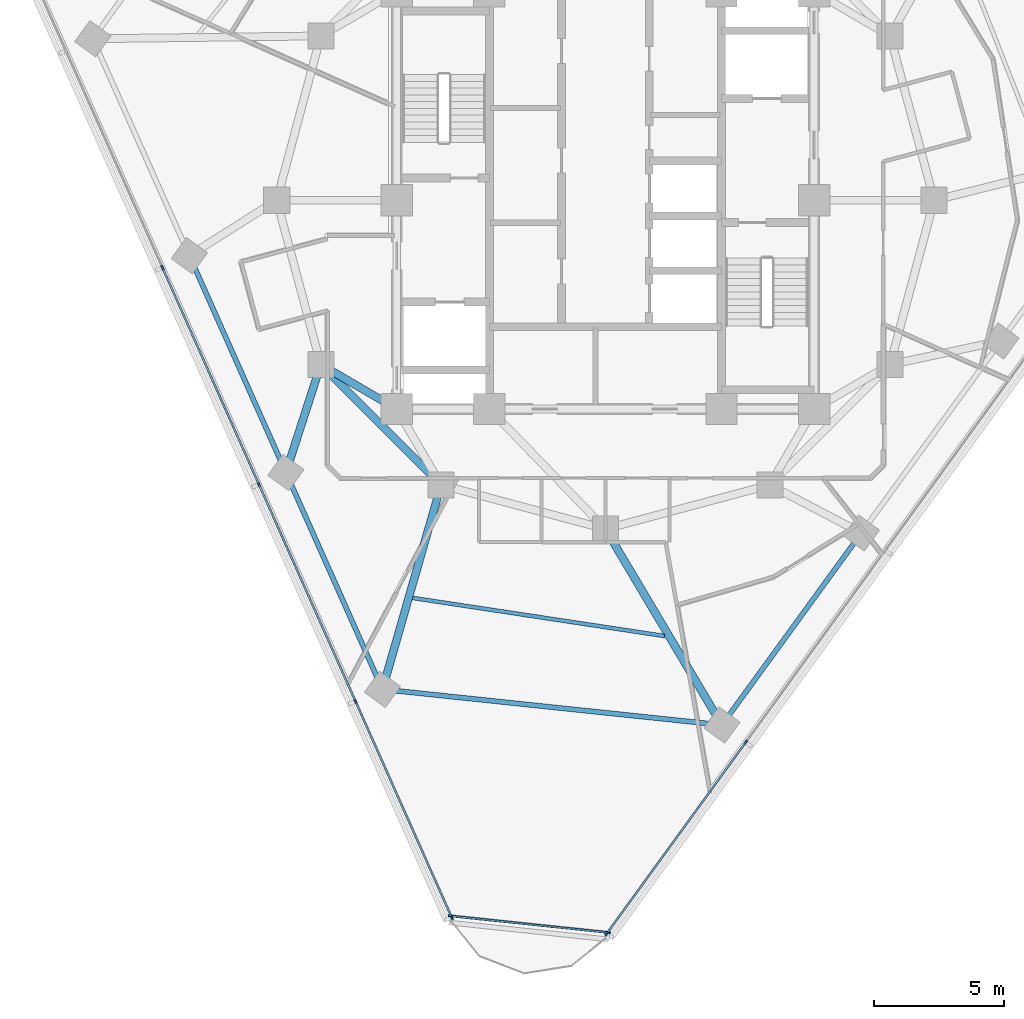
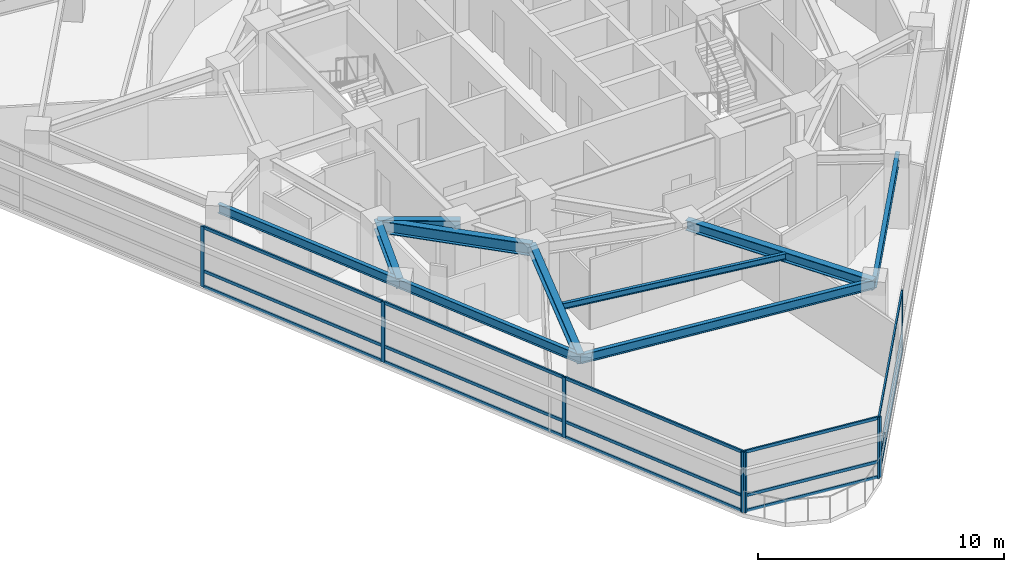
# One storey, part 2 of 15: 23 members, 10 beams, 3 elements without a shape of their own.
"""IFC4 building model written with IfcOpenShell, lengths in metres."""

from ifc_helpers import new_model, si_unit, direction, frame, origin, origin_2d, place, context, subcontext, project, spatial, rectangle, i_section, extrude, material, layer, layer_set, material_profile, profile_set, type_object, element, aggregate, save


model = new_model("IFC4")

# Units and contexts
model_context = context("Model", 3, precision=1e-05, world=origin(), true_north=direction((0.0, 1.0)))
body_context = subcontext(model_context, "Body", "Model", "MODEL_VIEW")
ifc_project = project(units=[si_unit("LENGTHUNIT", "METRE"), si_unit("AREAUNIT", "SQUARE_METRE"), si_unit("VOLUMEUNIT", "CUBIC_METRE"), si_unit("PLANEANGLEUNIT", "RADIAN"), si_unit("MASSUNIT", "GRAM", prefix="KILO")], contexts=[model_context])

# Site, building, storey
site_placement = place(None, origin())
site = spatial("IfcSite", under=ifc_project, at=site_placement, CompositionType="ELEMENT")
building_placement = place(site_placement, origin())
building = spatial("IfcBuilding", under=site, at=building_placement, Name="Terralouvre Media Tower", CompositionType="ELEMENT")
storey_placement = place(building_placement, frame((0.0, 0.0, 230.0)))
storey = spatial("IfcBuildingStorey", under=building, at=storey_placement, Name="L59", CompositionType="ELEMENT", Elevation=230.0)

# Beam
ifc_material_1 = material(Name="Structural steel S355J2", Category="steel")
ifc_material_profile_1 = material_profile(ifc_material_1, i_section(OverallWidth=0.14990234375, OverallDepth=0.300048828125, WebThickness=0.007080078125, FlangeThickness=0.0107421875, at=origin_2d()), Name="IPE 300")
ifc_profile_set_1 = profile_set([ifc_material_profile_1], Name="Structural steel S355J2")
beam_type_1 = type_object("IfcBeamType", Name="Composite Floor Joist J-IPE300 (IPE 300)", PredefinedType="JOIST", material=ifc_profile_set_1)
beam_1_placement = place(storey_placement, frame((-7.38818359375, -15.244140625, 3.35009765625), z_axis=(0.988745338641, -0.149608339726, 0.0), x_axis=(0.149608339726, 0.988745338641, 0.0)))
element("IfcBeam", 1, at=beam_1_placement, inside=storey, type_object=beam_type_1, Name="L59 Framing Beam JT-L59-01", PredefinedType="JOIST", context=body_context, shape_type="SweptSolid", body=[
    extrude(i_section(OverallWidth=0.14990234375, OverallDepth=0.300048828125, WebThickness=0.007080078125, FlangeThickness=0.0107421875, at=origin_2d()), origin(), (0.0, 0.0, 1.0), 9.763427734375),
])

# Curtain wall, members
ifc_material_2 = material(Name="Low-iron laminated double glazing with solar-control coating", Category="glass")
ifc_layer_1 = layer(ifc_material_2, 0.1650390625, Name="Upper Executive Tower Curtain Wall CW-05")
ifc_layer_set_1 = layer_set([ifc_layer_1], Name="Low-iron laminated double glazing with solar-control coating")
curtain_wall_type_1 = type_object("IfcCurtainWallType", Name="Upper Executive Tower Curtain Wall CW-05", PredefinedType="NOTDEFINED", material=ifc_layer_set_1)
curtain_wall_1_placement = place(storey_placement, origin())
curtain_wall_1 = element("IfcCurtainWall", 2, at=curtain_wall_1_placement, inside=storey, type_object=curtain_wall_type_1, Name="L59 Facade Curtain Wall F0", PredefinedType="NOTDEFINED")
ifc_material_3 = material(Name="Anodised extruded aluminium 6063-T6", Category="aluminium")
ifc_material_profile_2 = material_profile(ifc_material_3, rectangle(XDim=0.074951171875, YDim=0.14990234375, at=origin_2d()), Name="ALU 75x150")
ifc_profile_set_2 = profile_set([ifc_material_profile_2], Name="Anodised extruded aluminium 6063-T6")
member_type_1 = type_object("IfcMemberType", Name="Curtain-Wall Horizontal Transom TR-150", PredefinedType="USERDEFINED", material=ifc_profile_set_2)
member_1_placement = place(storey_placement, frame((0.072998046875, -28.0810546875, 0.03759765625), z_axis=(0.587774298355, 0.809024952763, 0.0), x_axis=(-0.809024952763, 0.587774298355, 0.0)))
member_1 = element("IfcMember", 3, at=member_1_placement, type_object=member_type_1, Name="CW-05 transom 1.1", ObjectType="TRANSOM", PredefinedType="USERDEFINED", context=body_context, shape_type="SweptSolid", body=[
    extrude(rectangle(XDim=0.074951171875, YDim=0.14990234375, at=origin_2d()), origin(), (0.0, 0.0, 1.0), 8.987548828125),
])
member_2_placement = place(storey_placement, frame((0.072998046875, -28.0810546875, 0.800048828125), z_axis=(0.587774298355, 0.809024952763, 0.0), x_axis=(-0.809024952763, 0.587774298355, 0.0)))
member_2 = element("IfcMember", 4, at=member_2_placement, type_object=member_type_1, Name="CW-05 transom 1.2", ObjectType="TRANSOM", PredefinedType="USERDEFINED", context=body_context, shape_type="SweptSolid", body=[
    extrude(rectangle(XDim=0.074951171875, YDim=0.14990234375, at=origin_2d()), origin(), (0.0, 0.0, 1.0), 8.987548828125),
])
member_3_placement = place(storey_placement, frame((0.072998046875, -28.0810546875, 2.96240234375), z_axis=(0.587774298355, 0.809024952763, 0.0), x_axis=(-0.809024952763, 0.587774298355, 0.0)))
member_3 = element("IfcMember", 5, at=member_3_placement, type_object=member_type_1, Name="CW-05 transom 1.3", ObjectType="TRANSOM", PredefinedType="USERDEFINED", context=body_context, shape_type="SweptSolid", body=[
    extrude(rectangle(XDim=0.074951171875, YDim=0.14990234375, at=origin_2d()), origin(), (0.0, 0.0, 1.0), 8.987548828125),
])

curtain_wall_2_placement = place(storey_placement, origin())
curtain_wall_2 = element("IfcCurtainWall", 6, at=curtain_wall_2_placement, inside=storey, type_object=curtain_wall_type_1, Name="L59 Facade Curtain Wall F2", PredefinedType="NOTDEFINED")
member_4_placement = place(storey_placement, frame((-16.968017578125, -2.614990234375, 0.03759765625), z_axis=(0.406740753437, -0.913543627581, 0.0), x_axis=(0.913543627581, 0.406740753437, 0.0)))
member_4 = element("IfcMember", 7, at=member_4_placement, type_object=member_type_1, Name="CW-05 transom 3.1", ObjectType="TRANSOM", PredefinedType="USERDEFINED", context=body_context, shape_type="SweptSolid", body=[
    extrude(rectangle(XDim=0.074951171875, YDim=0.14990234375, at=origin_2d()), origin(), (0.0, 0.0, 1.0), 9.025146484375),
])
member_5_placement = place(storey_placement, frame((-16.968017578125, -2.614990234375, 0.800048828125), z_axis=(0.406740753437, -0.913543627581, 0.0), x_axis=(0.913543627581, 0.406740753437, 0.0)))
member_5 = element("IfcMember", 8, at=member_5_placement, type_object=member_type_1, Name="CW-05 transom 3.2", ObjectType="TRANSOM", PredefinedType="USERDEFINED", context=body_context, shape_type="SweptSolid", body=[
    extrude(rectangle(XDim=0.074951171875, YDim=0.14990234375, at=origin_2d()), origin(), (0.0, 0.0, 1.0), 9.025146484375),
])
member_6_placement = place(storey_placement, frame((-16.968017578125, -2.614990234375, 2.96240234375), z_axis=(0.406740753437, -0.913543627581, 0.0), x_axis=(0.913543627581, 0.406740753437, 0.0)))
member_6 = element("IfcMember", 9, at=member_6_placement, type_object=member_type_1, Name="CW-05 transom 3.3", ObjectType="TRANSOM", PredefinedType="USERDEFINED", context=body_context, shape_type="SweptSolid", body=[
    extrude(rectangle(XDim=0.074951171875, YDim=0.14990234375, at=origin_2d()), origin(), (0.0, 0.0, 1.0), 9.025146484375),
])
member_7_placement = place(storey_placement, frame((-13.2666015625, -10.928466796875, 0.03759765625), z_axis=(0.406728228643, -0.913549203943, 0.0), x_axis=(0.913549203943, 0.406728228643, 0.0)))
member_7 = element("IfcMember", 10, at=member_7_placement, type_object=member_type_1, Name="CW-05 transom 4.1", ObjectType="TRANSOM", PredefinedType="USERDEFINED", context=body_context, shape_type="SweptSolid", body=[
    extrude(rectangle(XDim=0.074951171875, YDim=0.14990234375, at=origin_2d()), origin(), (0.0, 0.0, 1.0), 9.02490234375),
])
member_8_placement = place(storey_placement, frame((-13.2666015625, -10.928466796875, 0.800048828125), z_axis=(0.406728228643, -0.913549203943, 0.0), x_axis=(0.913549203943, 0.406728228643, 0.0)))
member_8 = element("IfcMember", 11, at=member_8_placement, type_object=member_type_1, Name="CW-05 transom 4.2", ObjectType="TRANSOM", PredefinedType="USERDEFINED", context=body_context, shape_type="SweptSolid", body=[
    extrude(rectangle(XDim=0.074951171875, YDim=0.14990234375, at=origin_2d()), origin(), (0.0, 0.0, 1.0), 9.02490234375),
])
member_9_placement = place(storey_placement, frame((-13.2666015625, -10.928466796875, 2.96240234375), z_axis=(0.406728228643, -0.913549203943, 0.0), x_axis=(0.913549203943, 0.406728228643, 0.0)))
member_9 = element("IfcMember", 12, at=member_9_placement, type_object=member_type_1, Name="CW-05 transom 4.3", ObjectType="TRANSOM", PredefinedType="USERDEFINED", context=body_context, shape_type="SweptSolid", body=[
    extrude(rectangle(XDim=0.074951171875, YDim=0.14990234375, at=origin_2d()), origin(), (0.0, 0.0, 1.0), 9.02490234375),
])
member_10_placement = place(storey_placement, frame((-9.5654296875, -19.24169921875, 0.03759765625), z_axis=(0.406735720677, -0.913545868321, 0.0), x_axis=(0.913545868321, 0.406735720677, 0.0)))
member_10 = element("IfcMember", 13, at=member_10_placement, type_object=member_type_1, Name="CW-05 transom 5.1", ObjectType="TRANSOM", PredefinedType="USERDEFINED", context=body_context, shape_type="SweptSolid", body=[
    extrude(rectangle(XDim=0.074951171875, YDim=0.14990234375, at=origin_2d()), origin(), (0.0, 0.0, 1.0), 8.987548828125),
])
member_11_placement = place(storey_placement, frame((-9.5654296875, -19.24169921875, 0.800048828125), z_axis=(0.406735720677, -0.913545868321, 0.0), x_axis=(0.913545868321, 0.406735720677, 0.0)))
member_11 = element("IfcMember", 14, at=member_11_placement, type_object=member_type_1, Name="CW-05 transom 5.2", ObjectType="TRANSOM", PredefinedType="USERDEFINED", context=body_context, shape_type="SweptSolid", body=[
    extrude(rectangle(XDim=0.074951171875, YDim=0.14990234375, at=origin_2d()), origin(), (0.0, 0.0, 1.0), 8.987548828125),
])
member_12_placement = place(storey_placement, frame((-9.5654296875, -19.24169921875, 2.96240234375), z_axis=(0.406735720677, -0.913545868321, 0.0), x_axis=(0.913545868321, 0.406735720677, 0.0)))
member_12 = element("IfcMember", 15, at=member_12_placement, type_object=member_type_1, Name="CW-05 transom 5.3", ObjectType="TRANSOM", PredefinedType="USERDEFINED", context=body_context, shape_type="SweptSolid", body=[
    extrude(rectangle(XDim=0.074951171875, YDim=0.14990234375, at=origin_2d()), origin(), (0.0, 0.0, 1.0), 8.987548828125),
])

ifc_material_4 = material(Name="Low-iron laminated double glazing with solar-control coating", Category="glass")
ifc_layer_2 = layer(ifc_material_4, 0.1650390625, Name="Rounded Wind-Corner Curved Glazing CW-04")
ifc_layer_set_2 = layer_set([ifc_layer_2], Name="Low-iron laminated double glazing with solar-control coating")
curtain_wall_type_2 = type_object("IfcCurtainWallType", Name="Rounded Wind-Corner Curved Glazing CW-04", PredefinedType="NOTDEFINED", material=ifc_layer_set_2)
curtain_wall_3_placement = place(storey_placement, origin())
curtain_wall_3 = element("IfcCurtainWall", 16, at=curtain_wall_3_placement, inside=storey, type_object=curtain_wall_type_2, Name="L59 Rounded Wind-Corner Curtain Wall C0", PredefinedType="NOTDEFINED")
member_13_placement = place(storey_placement, frame((-5.899658203125, -27.43798828125, 0.03759765625), z_axis=(0.994519048003, -0.104555550594, 0.0), x_axis=(0.104555550594, 0.994519048003, 0.0)))
member_13 = element("IfcMember", 17, at=member_13_placement, type_object=member_type_1, Name="CW-04 transom 1.1", ObjectType="TRANSOM", PredefinedType="USERDEFINED", context=body_context, shape_type="SweptSolid", body=[
    extrude(rectangle(XDim=0.074951171875, YDim=0.14990234375, at=origin_2d()), origin(), (0.0, 0.0, 1.0), 5.998779296875),
])
member_14_placement = place(storey_placement, frame((-5.899658203125, -27.43798828125, 0.800048828125), z_axis=(0.994519048003, -0.104555550594, 0.0), x_axis=(0.104555550594, 0.994519048003, 0.0)))
member_14 = element("IfcMember", 18, at=member_14_placement, type_object=member_type_1, Name="CW-04 transom 1.2", ObjectType="TRANSOM", PredefinedType="USERDEFINED", context=body_context, shape_type="SweptSolid", body=[
    extrude(rectangle(XDim=0.074951171875, YDim=0.14990234375, at=origin_2d()), origin(), (0.0, 0.0, 1.0), 5.998779296875),
])
member_15_placement = place(storey_placement, frame((-5.899658203125, -27.43798828125, 2.96240234375), z_axis=(0.994519048003, -0.104555550594, 0.0), x_axis=(0.104555550594, 0.994519048003, 0.0)))
member_15 = element("IfcMember", 19, at=member_15_placement, type_object=member_type_1, Name="CW-04 transom 1.3", ObjectType="TRANSOM", PredefinedType="USERDEFINED", context=body_context, shape_type="SweptSolid", body=[
    extrude(rectangle(XDim=0.074951171875, YDim=0.14990234375, at=origin_2d()), origin(), (0.0, 0.0, 1.0), 5.998779296875),
])

# Member
ifc_material_5 = material(Name="Anodised extruded aluminium 6063-T6", Category="aluminium")
ifc_material_profile_3 = material_profile(ifc_material_5, rectangle(XDim=0.074951171875, YDim=0.179931640625, at=origin_2d()), Name="ALU 75x180")
ifc_profile_set_3 = profile_set([ifc_material_profile_3], Name="Anodised extruded aluminium 6063-T6")
member_type_2 = type_object("IfcMemberType", Name="Curtain-Wall Vertical Mullion ML-180", PredefinedType="MULLION", material=ifc_profile_set_3)
member_16_placement = place(storey_placement, frame((0.051025390625, -28.111328125, 0.0), z_axis=(0.0, 0.0, 1.0), x_axis=(-0.809016959074, 0.587785300879, 0.0)))
member_16 = element("IfcMember", 20, at=member_16_placement, type_object=member_type_2, Name="CW-05 mullion 1", PredefinedType="MULLION", context=body_context, shape_type="SweptSolid", body=[
    extrude(rectangle(XDim=0.074951171875, YDim=0.179931640625, at=origin_2d()), origin(), (0.0, 0.0, 1.0), 3.0),
])

member_17_placement = place(storey_placement, frame((5.3779296875, -20.779541015625, 0.0), z_axis=(0.0, 0.0, 1.0), x_axis=(-0.809016959074, 0.587785300879, 0.0)))
member_17 = element("IfcMember", 21, at=member_17_placement, type_object=member_type_2, Name="CW-05 mullion 2", PredefinedType="MULLION", context=body_context, shape_type="SweptSolid", body=[
    extrude(rectangle(XDim=0.074951171875, YDim=0.179931640625, at=origin_2d()), origin(), (0.0, 0.0, 1.0), 3.0),
])

aggregate(curtain_wall_1, [member_16, member_17, member_1, member_2, member_3])

member_18_placement = place(storey_placement, frame((-16.983154296875, -2.580810546875, 0.0), z_axis=(0.0, 0.0, 1.0), x_axis=(0.913545441365, 0.406736679636, 0.0)))
member_18 = element("IfcMember", 22, at=member_18_placement, type_object=member_type_2, Name="CW-05 mullion 3", PredefinedType="MULLION", context=body_context, shape_type="SweptSolid", body=[
    extrude(rectangle(XDim=0.074951171875, YDim=0.179931640625, at=origin_2d()), origin(), (0.0, 0.0, 1.0), 3.0),
])

member_19_placement = place(storey_placement, frame((-13.281982421875, -10.89404296875, 0.0), z_axis=(0.0, 0.0, 1.0), x_axis=(0.913545441365, 0.406736679636, 0.0)))
member_19 = element("IfcMember", 23, at=member_19_placement, type_object=member_type_2, Name="CW-05 mullion 4", PredefinedType="MULLION", context=body_context, shape_type="SweptSolid", body=[
    extrude(rectangle(XDim=0.074951171875, YDim=0.179931640625, at=origin_2d()), origin(), (0.0, 0.0, 1.0), 3.0),
])

member_20_placement = place(storey_placement, frame((-9.58056640625, -19.207275390625, 0.0), z_axis=(0.0, 0.0, 1.0), x_axis=(0.913545441365, 0.406736679636, 0.0)))
member_20 = element("IfcMember", 24, at=member_20_placement, type_object=member_type_2, Name="CW-05 mullion 5", PredefinedType="MULLION", context=body_context, shape_type="SweptSolid", body=[
    extrude(rectangle(XDim=0.074951171875, YDim=0.179931640625, at=origin_2d()), origin(), (0.0, 0.0, 1.0), 3.0),
])

member_21_placement = place(storey_placement, frame((-5.89453125, -27.486328125, 0.0), z_axis=(0.0, 0.0, 1.0), x_axis=(0.913545441365, 0.406736679636, 0.0)))
member_21 = element("IfcMember", 25, at=member_21_placement, type_object=member_type_2, Name="CW-05 mullion 6", PredefinedType="MULLION", context=body_context, shape_type="SweptSolid", body=[
    extrude(rectangle(XDim=0.074951171875, YDim=0.179931640625, at=origin_2d()), origin(), (0.0, 0.0, 1.0), 3.0),
])

aggregate(curtain_wall_2, [member_18, member_19, member_20, member_21, member_4, member_5, member_6, member_7, member_8, member_9, member_10, member_11, member_12])

member_22_placement = place(storey_placement, frame((-5.93701171875, -27.43408203125, 0.0), z_axis=(0.0, 0.0, 1.0), x_axis=(0.104527995322, 0.994521944551, 0.0)))
member_22 = element("IfcMember", 26, at=member_22_placement, type_object=member_type_2, Name="CW-04 mullion 1", PredefinedType="MULLION", context=body_context, shape_type="SweptSolid", body=[
    extrude(rectangle(XDim=0.074951171875, YDim=0.179931640625, at=origin_2d()), origin(), (0.0, 0.0, 1.0), 3.0),
])

member_23_placement = place(storey_placement, frame((0.103515625, -28.069091796875, 0.0), z_axis=(0.0, 0.0, 1.0), x_axis=(0.104527995322, 0.994521944551, 0.0)))
member_23 = element("IfcMember", 27, at=member_23_placement, type_object=member_type_2, Name="CW-04 mullion 2", PredefinedType="MULLION", context=body_context, shape_type="SweptSolid", body=[
    extrude(rectangle(XDim=0.074951171875, YDim=0.179931640625, at=origin_2d()), origin(), (0.0, 0.0, 1.0), 3.0),
])

aggregate(curtain_wall_3, [member_22, member_23, member_13, member_14, member_15])

# Beams
ifc_material_6 = material(Name="Structural steel S355J2", Category="steel")
ifc_material_profile_4 = material_profile(ifc_material_6, i_section(OverallWidth=0.18994140625, OverallDepth=0.449951171875, WebThickness=0.009521484375, FlangeThickness=0.0146484375, at=origin_2d()), Name="IPE 450")
ifc_profile_set_4 = profile_set([ifc_material_profile_4], Name="Structural steel S355J2")
beam_type_2 = type_object("IfcBeamType", Name="Perimeter Spandrel Beam SPB-450 (IPE 450)", PredefinedType="SPANDREL", material=ifc_profile_set_4)
beam_2_placement = place(storey_placement, frame((-15.950927734375, -2.121337890625, 3.27490234375), z_axis=(0.406725851667, -0.913550262211, 0.0), x_axis=(0.913550262211, 0.406725851667, 0.0)))
element("IfcBeam", 28, at=beam_2_placement, inside=storey, type_object=beam_type_2, Name="L59 Framing Beam BM-L59-PR01", PredefinedType="SPANDREL", context=body_context, shape_type="SweptSolid", body=[
    extrude(i_section(OverallWidth=0.18994140625, OverallDepth=0.449951171875, WebThickness=0.009521484375, FlangeThickness=0.0146484375, at=origin_2d()), origin(), (0.0, 0.0, 1.0), 9.099853515625),
])
beam_3_placement = place(storey_placement, frame((-12.249755859375, -10.4345703125, 3.27490234375), z_axis=(0.40674824199, -0.913540293385, 0.0), x_axis=(0.913540293385, 0.40674824199, 0.0)))
element("IfcBeam", 29, at=beam_3_placement, inside=storey, type_object=beam_type_2, Name="L59 Framing Beam BM-L59-PR02", PredefinedType="SPANDREL", context=body_context, shape_type="SweptSolid", body=[
    extrude(i_section(OverallWidth=0.18994140625, OverallDepth=0.449951171875, WebThickness=0.009521484375, FlangeThickness=0.0146484375, at=origin_2d()), origin(), (0.0, 0.0, 1.0), 9.10009765625),
])
beam_4_placement = place(storey_placement, frame((-8.54833984375, -18.747802734375, 3.27490234375), z_axis=(0.994521391833, -0.104533253974, 0.0), x_axis=(0.104533253974, 0.994521391833, 0.0)))
element("IfcBeam", 30, at=beam_4_placement, inside=storey, type_object=beam_type_2, Name="L59 Framing Beam BM-L59-PR03", PredefinedType="SPANDREL", context=body_context, shape_type="SweptSolid", body=[
    extrude(i_section(OverallWidth=0.18994140625, OverallDepth=0.449951171875, WebThickness=0.009521484375, FlangeThickness=0.0146484375, at=origin_2d()), origin(), (0.0, 0.0, 1.0), 13.083740234375),
])
beam_5_placement = place(storey_placement, frame((4.463623046875, -20.115478515625, 3.27490234375), z_axis=(0.587787185033, 0.809015590153, 0.0), x_axis=(-0.809015590153, 0.587787185033, 0.0)))
element("IfcBeam", 31, at=beam_5_placement, inside=storey, type_object=beam_type_2, Name="L59 Framing Beam BM-L59-PR04", PredefinedType="SPANDREL", context=body_context, shape_type="SweptSolid", body=[
    extrude(i_section(OverallWidth=0.18994140625, OverallDepth=0.449951171875, WebThickness=0.009521484375, FlangeThickness=0.0146484375, at=origin_2d()), origin(), (0.0, 0.0, 1.0), 9.10009765625),
])
ifc_material_7 = material(Name="Structural steel S355J2", Category="steel")
ifc_material_profile_5 = material_profile(ifc_material_7, i_section(OverallWidth=0.300048828125, OverallDepth=0.5, WebThickness=0.014404296875, FlangeThickness=0.028076171875, at=origin_2d()), Name="HEB 500")
ifc_profile_set_5 = profile_set([ifc_material_profile_5], Name="Structural steel S355J2")
beam_type_3 = type_object("IfcBeamType", Name="Primary Floor Girder B-HEB500 (HEB 500)", PredefinedType="BEAM", material=ifc_profile_set_5)
beam_6_placement = place(storey_placement, frame((-10.911865234375, -6.300048828125, 3.25), z_axis=(-0.307872638555, -0.951427579183, 0.0), x_axis=(0.951427579183, -0.307872638555, 0.0)))
element("IfcBeam", 32, at=beam_6_placement, inside=storey, type_object=beam_type_3, Name="L59 Framing Beam BM-L59-RD02", PredefinedType="BEAM", context=body_context, shape_type="SweptSolid", body=[
    extrude(i_section(OverallWidth=0.300048828125, OverallDepth=0.5, WebThickness=0.014404296875, FlangeThickness=0.028076171875, at=origin_2d()), origin(), (0.0, 0.0, 1.0), 4.345703125),
])
beam_7_placement = place(storey_placement, frame((-6.300048828125, -10.911865234375, 3.25), z_axis=(-0.275792876342, -0.96121708753, 0.0), x_axis=(0.96121708753, -0.275792876342, 0.0)))
element("IfcBeam", 33, at=beam_7_placement, inside=storey, type_object=beam_type_3, Name="L59 Framing Beam BM-L59-RD03", PredefinedType="BEAM", context=body_context, shape_type="SweptSolid", body=[
    extrude(i_section(OverallWidth=0.300048828125, OverallDepth=0.5, WebThickness=0.014404296875, FlangeThickness=0.028076171875, at=origin_2d()), origin(), (0.0, 0.0, 1.0), 8.152099609375),
])
beam_8_placement = place(storey_placement, frame((0.0, -12.60009765625, 3.25), z_axis=(0.510654263047, -0.859786149942, 0.0), x_axis=(0.859786149942, 0.510654263047, 0.0)))
element("IfcBeam", 34, at=beam_8_placement, inside=storey, type_object=beam_type_3, Name="L59 Framing Beam BM-L59-RD04", PredefinedType="BEAM", context=body_context, shape_type="SweptSolid", body=[
    extrude(i_section(OverallWidth=0.300048828125, OverallDepth=0.5, WebThickness=0.014404296875, FlangeThickness=0.028076171875, at=origin_2d()), origin(), (0.0, 0.0, 1.0), 8.740966796875),
])
ifc_material_8 = material(Name="Structural steel S460M", Category="steel")
ifc_material_profile_6 = material_profile(ifc_material_8, i_section(OverallWidth=0.300048828125, OverallDepth=0.60009765625, WebThickness=0.015380859375, FlangeThickness=0.030029296875, at=origin_2d()), Name="HEB 600")
ifc_profile_set_6 = profile_set([ifc_material_profile_6], Name="Structural steel S460M")
beam_type_4 = type_object("IfcBeamType", Name="Primary Floor Girder B-HEB600 (HEB 600)", PredefinedType="BEAM", material=ifc_profile_set_6)
beam_9_placement = place(storey_placement, frame((-10.911865234375, -6.300048828125, 3.199951171875), z_axis=(0.707106781187, -0.707106781187, 0.0), x_axis=(0.707106781187, 0.707106781187, 0.0)))
element("IfcBeam", 35, at=beam_9_placement, inside=storey, type_object=beam_type_4, Name="L59 Framing Beam BM-L59-MR01", PredefinedType="BEAM", context=body_context, shape_type="SweptSolid", body=[
    extrude(i_section(OverallWidth=0.300048828125, OverallDepth=0.60009765625, WebThickness=0.015380859375, FlangeThickness=0.030029296875, at=origin_2d()), origin(), (0.0, 0.0, 1.0), 6.52197265625),
])
beam_10_placement = place(storey_placement, frame((-8.0, -8.0, 3.199951171875), z_axis=(-0.863602894532, 0.504172629717, 0.0), x_axis=(-0.504172629717, -0.863602894532, 0.0)))
element("IfcBeam", 36, at=beam_10_placement, inside=storey, type_object=beam_type_4, Name="L59 Framing Beam BM-L59-CM01", PredefinedType="BEAM", context=body_context, shape_type="SweptSolid", body=[
    extrude(i_section(OverallWidth=0.300048828125, OverallDepth=0.60009765625, WebThickness=0.015380859375, FlangeThickness=0.030029296875, at=origin_2d()), origin(), (0.0, 0.0, 1.0), 3.371826171875),
])

save(model, "model.ifc")
